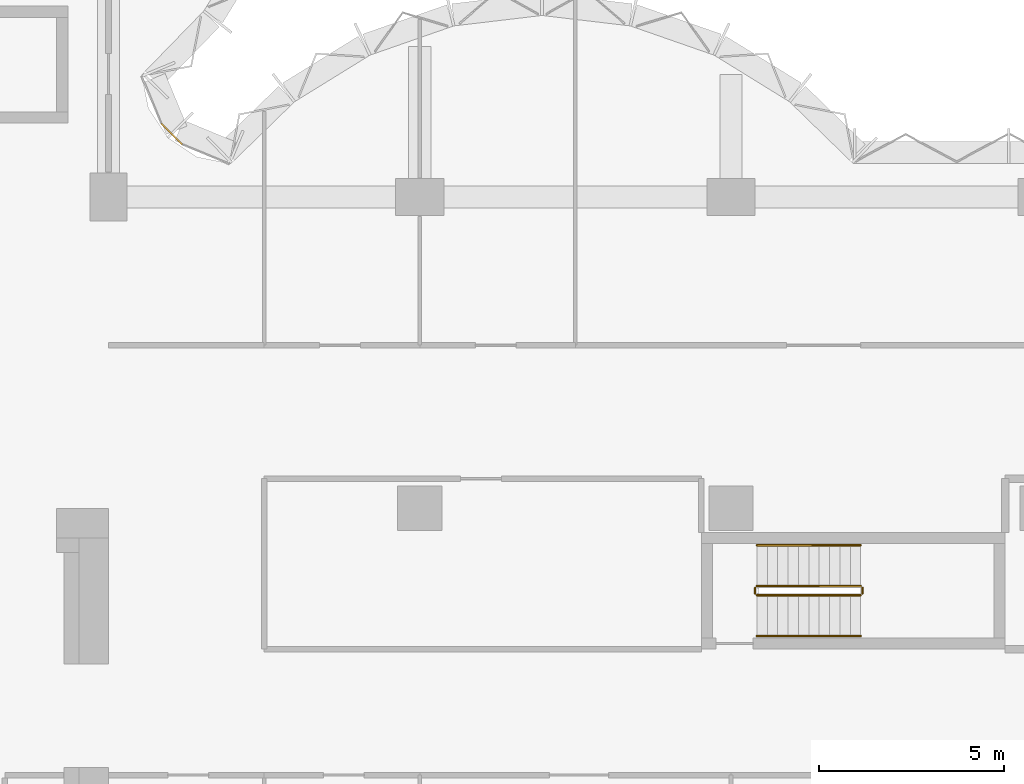
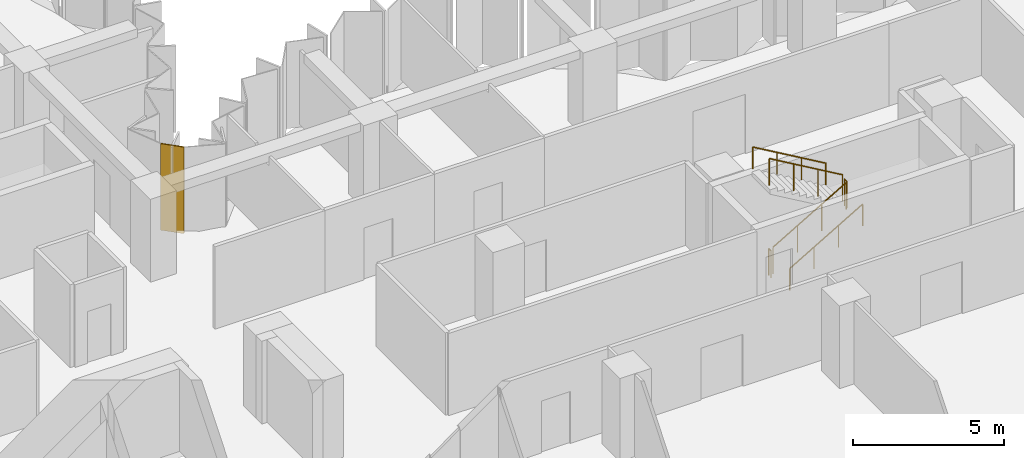
# One storey, part 13 of 13: 6 railings, 1 covering, 1 element without a shape of its own.
"""IFC4 building model written with IfcOpenShell, lengths in metres."""

import ifcopenshell
import ifcopenshell.guid

model = None  # the IFC model being written
_history = None  # IfcOwnerHistory: only IFC2X3 demands one
_inside = {}  # id of a spatial element -> (the spatial element, [elements in it])
_under = {}  # id of a project, library or spatial element -> (it, [spatial elements below it])
_declared = {}  # id of a project -> (the project, [libraries it declares])
_typed = {}  # id of a type object -> (the type object, [elements of that type])
_made_of = {}  # id of a material, layer set ... -> (it, [elements and type objects made of it])


def new_model(schema):
    """Start an empty IFC model of exactly this schema.

    Asked for "IFC4X3", IfcOpenShell would pick the latest addendum, in which some entities
    have other attributes; the version numbers below select the first issue.
    IFC2X3 requires an IfcOwnerHistory on every rooted entity: one is made here for all.
    """
    global model, _history
    if schema == "IFC4X3":
        model = ifcopenshell.file(schema_version=(4, 3, 0, 0))
    else:
        model = ifcopenshell.file(schema=schema)
    _inside.clear()
    _under.clear()
    _declared.clear()
    _typed.clear()
    _made_of.clear()
    _history = None
    if model.schema == "IFC2X3":
        org = make("IfcOrganization", Name="unknown")
        user = make(
            "IfcPersonAndOrganization",
            ThePerson=make("IfcPerson", FamilyName="unknown"),
            TheOrganization=org,
        )
        app = make(
            "IfcApplication",
            ApplicationDeveloper=org,
            Version="unknown",
            ApplicationFullName="unknown",
            ApplicationIdentifier="unknown",
        )
        _history = make(
            "IfcOwnerHistory",
            OwningUser=user,
            OwningApplication=app,
            ChangeAction="ADDED",
            CreationDate=0,
        )
    return model


def make(cls, **values):
    """One entity of the class cls with the attributes given. An attribute that is None is left unset."""
    return model.create_entity(
        cls, **{name: value for name, value in values.items() if value is not None}
    )


def rooted(cls, **values):
    """An entity with a GlobalId (a new one), such as an element, a storey or a relation."""
    return make(cls, GlobalId=ifcopenshell.guid.new(), OwnerHistory=_history, **values)


def si_unit(unit_type, name, prefix=None):
    """IfcSIUnit, for example si_unit("LENGTHUNIT", "METRE", prefix="MILLI")."""
    return make("IfcSIUnit", UnitType=unit_type, Prefix=prefix, Name=name)


def assignment(units):
    """IfcUnitAssignment: the units of a project."""
    return None if units is None else make("IfcUnitAssignment", Units=units)


def point(xyz):
    """IfcCartesianPoint."""
    return None if xyz is None else make("IfcCartesianPoint", Coordinates=xyz)


def direction(xyz):
    """IfcDirection."""
    return None if xyz is None else make("IfcDirection", DirectionRatios=xyz)


def frame(location, z_axis=None, x_axis=None):
    """IfcAxis2Placement3D, a coordinate frame: its origin and axes. An axis left out is left unset."""
    return make(
        "IfcAxis2Placement3D",
        Location=point(location),
        Axis=direction(z_axis),
        RefDirection=direction(x_axis),
    )


def frame_2d(location, x_axis=None):
    """IfcAxis2Placement2D, a coordinate frame in the plane: its origin and x axis."""
    return make(
        "IfcAxis2Placement2D", Location=point(location), RefDirection=direction(x_axis)
    )


def origin():
    """The frame at (0, 0, 0) with its axes left unset."""
    return frame((0.0, 0.0, 0.0))


def origin_2d():
    """The frame at (0, 0) in the plane with its x axis left unset."""
    return frame_2d((0.0, 0.0))


def place(relative_to, where):
    """IfcLocalPlacement: puts the frame where relative to a parent placement (None: the world)."""
    return make(
        "IfcLocalPlacement", PlacementRelTo=relative_to, RelativePlacement=where
    )


def context(
    kind, dimensions, precision=None, world=None, true_north=None, identifier=None
):
    """IfcGeometricRepresentationContext, for example the 3D "Model" context."""
    return make(
        "IfcGeometricRepresentationContext",
        ContextIdentifier=identifier,
        ContextType=kind,
        CoordinateSpaceDimension=dimensions,
        Precision=precision,
        WorldCoordinateSystem=world,
        TrueNorth=true_north,
    )


def subcontext(parent, identifier, kind, view, scale=None):
    """IfcGeometricRepresentationSubContext, for example "Body" below "Model"."""
    return make(
        "IfcGeometricRepresentationSubContext",
        ContextIdentifier=identifier,
        ContextType=kind,
        ParentContext=parent,
        TargetScale=scale,
        TargetView=view,
    )


def project(units=None, contexts=None):
    """IfcProject with its units and contexts."""
    return rooted(
        "IfcProject",
        Name="project",
        RepresentationContexts=contexts,
        UnitsInContext=assignment(units),
    )


def spatial(cls, under=None, at=None, **own):
    """A site, building, storey or space (cls), placed at a placement, below another one or the project."""
    s = rooted(cls, ObjectPlacement=at, **own)
    if under is not None:
        _under.setdefault(under.id(), (under, []))[1].append(s)
    return s


def polyline(points):
    """IfcPolyline through the points."""
    return make("IfcPolyline", Points=[point(p) for p in points])


def profile(cls, at=None, kind="AREA", **sizes):
    """A parametric profile (cls). Its sizes go by their IFC names, for example OverallWidth=200.0."""
    return make(cls, ProfileType=kind, Position=at, **sizes)


def circle(**sizes):
    """IfcCircleProfileDef."""
    return profile("IfcCircleProfileDef", **sizes)


def outline(outer, holes=None, kind="AREA"):
    """IfcArbitraryClosedProfileDef: a profile drawn as a closed curve; with holes, ...WithVoids."""
    if holes is None:
        return make("IfcArbitraryClosedProfileDef", ProfileType=kind, OuterCurve=outer)
    return make(
        "IfcArbitraryProfileDefWithVoids",
        ProfileType=kind,
        OuterCurve=outer,
        InnerCurves=holes,
    )


def extrude(swept, where, along, depth):
    """IfcExtrudedAreaSolid: the profile swept, set in the frame where, extruded along a direction by depth."""
    return make(
        "IfcExtrudedAreaSolid",
        SweptArea=swept,
        Position=where,
        ExtrudedDirection=direction(along),
        Depth=depth,
    )


def shape(context_of_items, identifier, shape_type, items):
    """IfcShapeRepresentation: the items that make up one representation, for example the "Body"."""
    return make(
        "IfcShapeRepresentation",
        ContextOfItems=context_of_items,
        RepresentationIdentifier=identifier,
        RepresentationType=shape_type,
        Items=items,
    )


def material(Name=None, Category=None):
    """IfcMaterial."""
    return make("IfcMaterial", Name=Name, Category=Category)


def layer(
    of_material, thickness, ventilated=None, Name=None, Category=None, Priority=None
):
    """IfcMaterialLayer: one layer of a wall or slab, of a material (None: an air gap)."""
    return make(
        "IfcMaterialLayer",
        Material=of_material,
        LayerThickness=thickness,
        IsVentilated=ventilated,
        Name=Name,
        Category=Category,
        Priority=Priority,
    )


def layer_set(layers, Name=None):
    """IfcMaterialLayerSet."""
    return make("IfcMaterialLayerSet", MaterialLayers=layers, LayerSetName=Name)


def made_of(thing, what):
    """Note that an element or type object is made of a material, layer set ...; save() writes the relation."""
    if what is not None:
        _made_of.setdefault(what.id(), (what, []))[1].append(thing)
    return thing


def type_object(cls, material=None, **own):
    """A type object (cls), such as IfcWallType, which elements share."""
    return made_of(rooted(cls, **own), material)


def element(
    cls,
    number,
    at=None,
    inside=None,
    cuts=None,
    type_object=None,
    material=None,
    context=None,
    identifier="Body",
    shape_type=None,
    held_by="IfcProductDefinitionShape",
    body=None,
    shapes=None,
    **own,
):
    """One element of the class cls, such as IfcWall. Its Tag is "e" and its number.

    at: its placement. inside: the storey or other place that contains it. cuts: it is an
    opening in that element (IfcRelVoidsElement). A single representation is given by context,
    identifier, shape_type and body (its items); several are given by shapes. held_by: the class
    of the entity that holds the representations. save() writes the other relations.
    """
    e = rooted(cls, Tag="e%d" % number, ObjectPlacement=at, **own)
    if body is not None:
        shapes = [shape(context, identifier, shape_type, body)]
    if shapes is not None:
        e.Representation = make(held_by, Representations=shapes)
    if inside is not None:
        _inside.setdefault(inside.id(), (inside, []))[1].append(e)
    if cuts is not None:
        rooted(
            "IfcRelVoidsElement", RelatingBuildingElement=cuts, RelatedOpeningElement=e
        )
    if type_object is not None:
        _typed.setdefault(type_object.id(), (type_object, []))[1].append(e)
    return made_of(e, material)


def aggregate(whole, parts):
    """IfcRelAggregates: a whole, such as a stair, and the parts it consists of."""
    return rooted("IfcRelAggregates", RelatingObject=whole, RelatedObjects=parts)


def save(model, path):
    """Write the relations noted so far, then the file.

    IfcRelAggregates (storeys below a building ...), IfcRelContainedInSpatialStructure (elements
    in a storey), IfcRelDefinesByType, IfcRelAssociatesMaterial and IfcRelDeclares: one each for
    every whole, place, type object, material and project.
    """
    for whole, parts in _under.values():
        aggregate(whole, parts)
    for where, things in _inside.values():
        rooted(
            "IfcRelContainedInSpatialStructure",
            RelatedElements=things,
            RelatingStructure=where,
        )
    for kind, things in _typed.values():
        rooted("IfcRelDefinesByType", RelatedObjects=things, RelatingType=kind)
    for what, things in _made_of.values():
        rooted("IfcRelAssociatesMaterial", RelatedObjects=things, RelatingMaterial=what)
    for by, libraries in _declared.values():
        rooted("IfcRelDeclares", RelatingContext=by, RelatedDefinitions=libraries)
    model.write(path)


model = new_model("IFC4")

# Units and contexts
model_context = context("Model", 3, precision=1e-05, world=origin(), true_north=direction((0.0, 1.0)))
body_context = subcontext(model_context, "Body", "Model", "MODEL_VIEW")
ifc_project = project(units=[si_unit("LENGTHUNIT", "METRE"), si_unit("AREAUNIT", "SQUARE_METRE"), si_unit("VOLUMEUNIT", "CUBIC_METRE"), si_unit("PLANEANGLEUNIT", "RADIAN"), si_unit("MASSUNIT", "GRAM", prefix="KILO")], contexts=[model_context])

# Site, building, storey
site_placement = place(None, origin())
site = spatial("IfcSite", under=ifc_project, at=site_placement, CompositionType="ELEMENT")
building_placement = place(site_placement, origin())
building = spatial("IfcBuilding", under=site, at=building_placement, Name="Brevane Broadcast Tower", CompositionType="ELEMENT")
storey_placement = place(building_placement, frame((0.0, 0.0, 113.300048828125)))
storey = spatial("IfcBuildingStorey", under=building, at=storey_placement, Name="L27", CompositionType="ELEMENT", Elevation=113.300048828125)

# Railings
ifc_material_1 = material(Name="Steel S355", Category="steel")
railing_type_1 = type_object("IfcRailingType", Name="Exit stair guard", PredefinedType="GUARDRAIL", material=ifc_material_1)
railing_1_placement = place(storey_placement, frame((42.699951171875, 14.449951171875, 0.16357421875)))
element("IfcRailing", 1, at=railing_1_placement, inside=storey, type_object=railing_type_1, Name="L27 ST-4 stair guard 1", PredefinedType="GUARDRAIL", context=body_context, shape_type="SweptSolid", body=[
    extrude(circle(Radius=0.02392578125, at=origin_2d()), frame((0.0, 0.0, 1.076171875), z_axis=(0.863360870873, 0.0, 0.504586966384), x_axis=(0.0, 1.0, 0.0)), (0.0, 0.0, 1.0), 3.2431640625),
    extrude(circle(Radius=0.02099609375, at=origin_2d()), origin(), (0.0, 0.0, 1.0), 1.052001953125),
    extrude(circle(Radius=0.02099609375, at=origin_2d()), frame((0.933349609375, 0.0, 0.54541015625)), (0.0, 0.0, 1.0), 1.052001953125),
    extrude(circle(Radius=0.02099609375, at=origin_2d()), frame((1.86669921875, 0.0, 1.091064453125)), (0.0, 0.0, 1.0), 1.052001953125),
    extrude(circle(Radius=0.02099609375, at=origin_2d()), frame((2.800048828125, 0.0, 1.636474609375)), (0.0, 0.0, 1.0), 1.052001953125),
])
railing_2_placement = place(storey_placement, frame((45.550048828125, 14.5, 1.800048828125)))
element("IfcRailing", 2, at=railing_2_placement, inside=storey, type_object=railing_type_1, Name="L27 ST-4 stair guard 2", PredefinedType="GUARDRAIL", context=body_context, shape_type="SweptSolid", body=[
    extrude(circle(Radius=0.02392578125, at=origin_2d()), frame((0.0, 0.0, 1.076171875), z_axis=(0.0, 1.0, 0.0), x_axis=(-1.0, 0.0, 0.0)), (0.0, 0.0, 1.0), 0.14990234375),
    extrude(circle(Radius=0.02099609375, at=origin_2d()), origin(), (0.0, 0.0, 1.0), 1.052001953125),
    extrude(circle(Radius=0.02099609375, at=origin_2d()), frame((0.0, 0.14990234375, 0.0)), (0.0, 0.0, 1.0), 1.052001953125),
])
railing_3_placement = place(storey_placement, frame((45.5, 14.699951171875, 1.963623046875)))
element("IfcRailing", 3, at=railing_3_placement, inside=storey, type_object=railing_type_1, Name="L27 ST-4 stair guard 3", PredefinedType="GUARDRAIL", context=body_context, shape_type="SweptSolid", body=[
    extrude(circle(Radius=0.02392578125, at=origin_2d()), frame((0.0, 0.0, 1.076171875), z_axis=(-0.863393664356, 0.0, 0.504530851732), x_axis=(0.0, -1.0, 0.0)), (0.0, 0.0, 1.0), 3.2431640625),
    extrude(circle(Radius=0.02099609375, at=origin_2d()), origin(), (0.0, 0.0, 1.0), 1.052001953125),
    extrude(circle(Radius=0.02099609375, at=origin_2d()), frame((-0.933349609375, 0.0, 0.54541015625)), (0.0, 0.0, 1.0), 1.052001953125),
    extrude(circle(Radius=0.02099609375, at=origin_2d()), frame((-1.86669921875, 0.0, 1.0908203125)), (0.0, 0.0, 1.0), 1.052001953125),
    extrude(circle(Radius=0.02099609375, at=origin_2d()), frame((-2.800048828125, 0.0, 1.63623046875)), (0.0, 0.0, 1.0), 1.052001953125),
])
railing_4_placement = place(storey_placement, frame((42.64990234375, 14.5, 0.0)))
element("IfcRailing", 4, at=railing_4_placement, inside=storey, type_object=railing_type_1, Name="L27 ST-4 stair guard 4", PredefinedType="GUARDRAIL", context=body_context, shape_type="SweptSolid", body=[
    extrude(circle(Radius=0.02392578125, at=origin_2d()), frame((0.0, 0.0, 1.076171875), z_axis=(0.0, 1.0, 0.0), x_axis=(-1.0, 0.0, 0.0)), (0.0, 0.0, 1.0), 0.14990234375),
    extrude(circle(Radius=0.02099609375, at=origin_2d()), origin(), (0.0, 0.0, 1.0), 1.052001953125),
    extrude(circle(Radius=0.02099609375, at=origin_2d()), frame((0.0, 0.14990234375, 0.0)), (0.0, 0.0, 1.0), 1.052001953125),
])
railing_type_2 = type_object("IfcRailingType", Name="Exit stair handrail", PredefinedType="HANDRAIL", material=ifc_material_1)
railing_5_placement = place(storey_placement, frame((42.699951171875, 13.35009765625, 0.16357421875)))
element("IfcRailing", 5, at=railing_5_placement, inside=storey, type_object=railing_type_2, Name="L27 ST-4 stair handrail 1", PredefinedType="HANDRAIL", context=body_context, shape_type="SweptSolid", body=[
    extrude(circle(Radius=0.02392578125, at=origin_2d()), frame((0.0, 0.0, 0.8759765625), z_axis=(0.863360870873, 0.0, 0.504586966384), x_axis=(0.0, 1.0, 0.0)), (0.0, 0.0, 1.0), 3.2431640625),
    extrude(circle(Radius=0.02099609375, at=origin_2d()), origin(), (0.0, 0.0, 1.0), 0.851806640625),
    extrude(circle(Radius=0.02099609375, at=origin_2d()), frame((0.933349609375, 0.0, 0.54541015625)), (0.0, 0.0, 1.0), 0.851806640625),
    extrude(circle(Radius=0.02099609375, at=origin_2d()), frame((1.86669921875, 0.0, 1.091064453125)), (0.0, 0.0, 1.0), 0.851806640625),
    extrude(circle(Radius=0.02099609375, at=origin_2d()), frame((2.800048828125, 0.0, 1.636474609375)), (0.0, 0.0, 1.0), 0.851806640625),
])
railing_6_placement = place(storey_placement, frame((45.5, 15.800048828125, 1.963623046875)))
element("IfcRailing", 6, at=railing_6_placement, inside=storey, type_object=railing_type_2, Name="L27 ST-4 stair handrail 2", PredefinedType="HANDRAIL", context=body_context, shape_type="SweptSolid", body=[
    extrude(circle(Radius=0.02392578125, at=origin_2d()), frame((0.0, 0.0, 0.8759765625), z_axis=(-0.863393664356, 0.0, 0.504530851732), x_axis=(0.0, -1.0, 0.0)), (0.0, 0.0, 1.0), 3.2431640625),
    extrude(circle(Radius=0.02099609375, at=origin_2d()), origin(), (0.0, 0.0, 1.0), 0.851806640625),
    extrude(circle(Radius=0.02099609375, at=origin_2d()), frame((-0.933349609375, 0.0, 0.54541015625)), (0.0, 0.0, 1.0), 0.851806640625),
    extrude(circle(Radius=0.02099609375, at=origin_2d()), frame((-1.86669921875, 0.0, 1.0908203125)), (0.0, 0.0, 1.0), 0.851806640625),
    extrude(circle(Radius=0.02099609375, at=origin_2d()), frame((-2.800048828125, 0.0, 1.63623046875)), (0.0, 0.0, 1.0), 0.851806640625),
])

# Curtain wall, covering
ifc_material_2 = material(Name="Aluminium 6063-T6 bronze anodised", Category="aluminium")
curtain_wall_type = type_object("IfcCurtainWallType", Name="CW-1 curtain wall", PredefinedType="NOTDEFINED", material=ifc_material_2)
curtain_wall_placement = place(storey_placement, origin())
curtain_wall = element("IfcCurtainWall", 7, at=curtain_wall_placement, inside=storey, type_object=curtain_wall_type, Name="CW-1 typical tilted unit L27 inner corner", PredefinedType="NOTDEFINED")
ifc_material_3 = material(Name="Back-painted bronze glass shadow-box", Category="glass")
ifc_layer = layer(ifc_material_3, 0.0400390625)
ifc_layer_set = layer_set([ifc_layer], Name="Shadow-box panel 40")
covering_type = type_object("IfcCoveringType", Name="Shadow-box panel 40", PredefinedType="CLADDING", material=ifc_layer_set)
covering_placement = place(storey_placement, frame((0.0, 0.0, -0.150146484375)))
covering = element("IfcCovering", 8, at=covering_placement, type_object=covering_type, Name="Closure panel", PredefinedType="CLADDING", context=body_context, shape_type="SweptSolid", body=[
    extrude(outline(polyline([(27.17138671875, 26.60498046875), (27.2021484375, 26.635498046875), (26.635498046875, 27.2021484375), (26.60498046875, 27.17138671875), (27.17138671875, 26.60498046875)])), origin(), (0.0, 0.0, 1.0), 3.5),
])
aggregate(curtain_wall, [covering])

save(model, "model.ifc")
